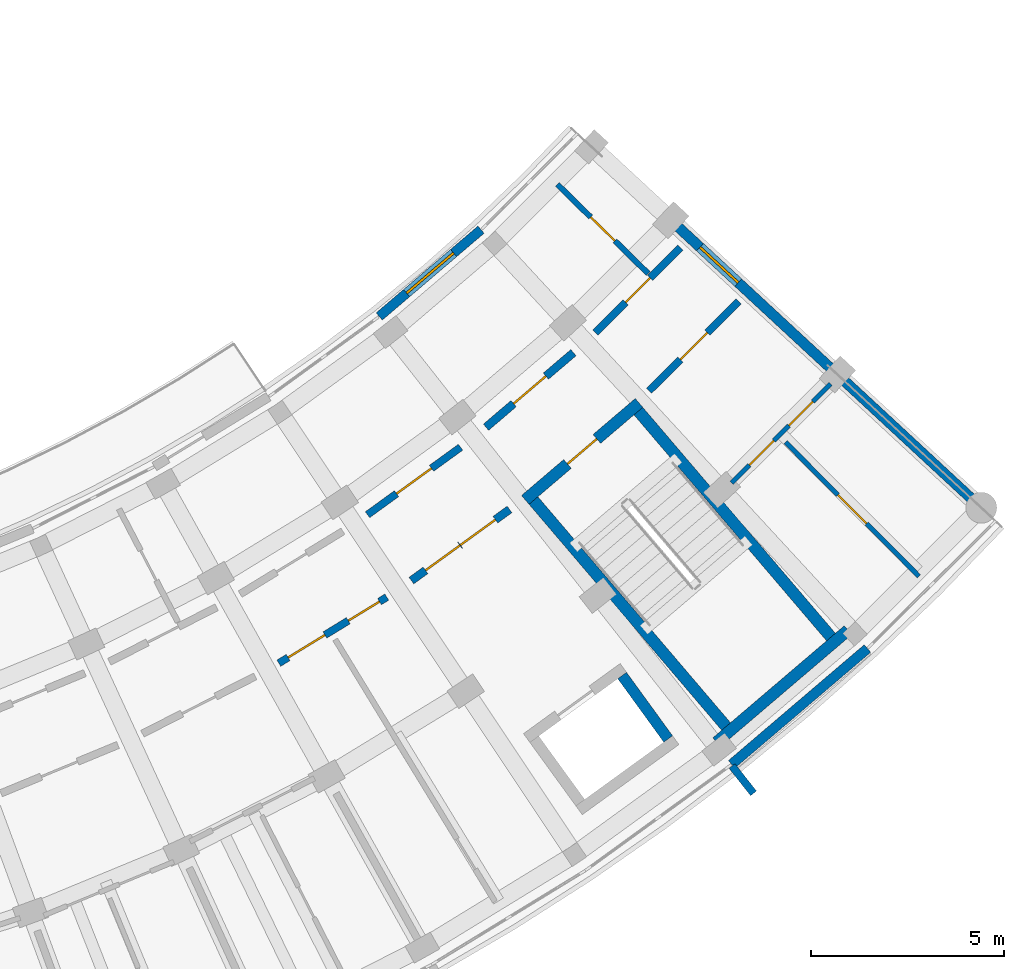
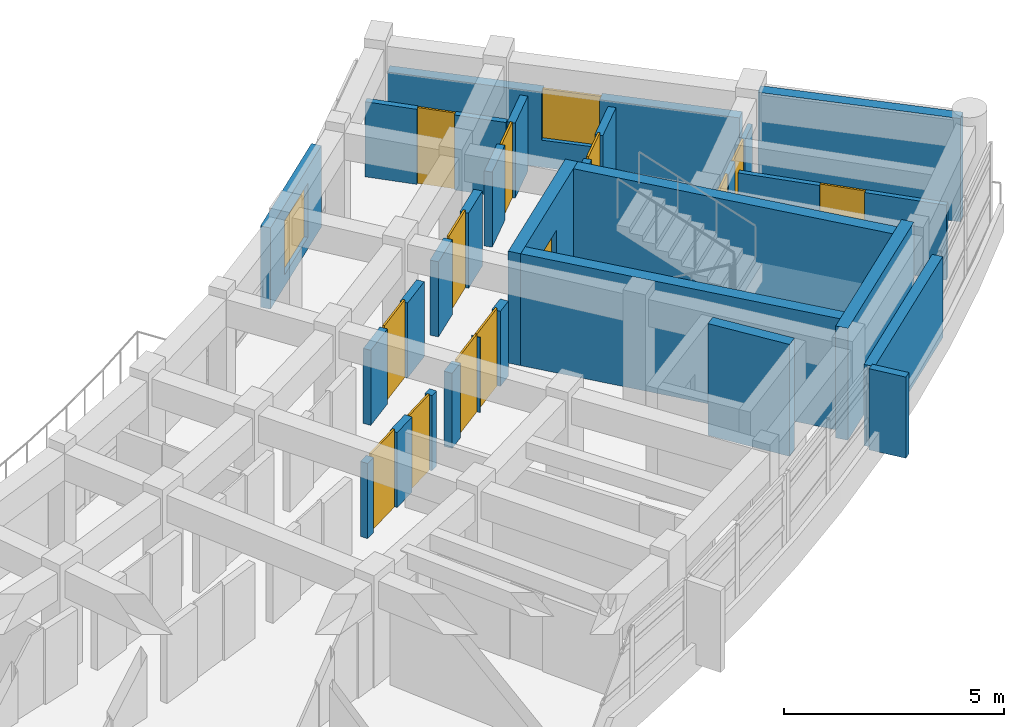
# One storey, part 39 of 56: 19 walls, 13 doors, 2 windows, 15 openings.
"""IFC4 building model written with IfcOpenShell, lengths in metres."""

from ifc_helpers import new_model, si_unit, direction, frame, frame_2d, origin, place, context, subcontext, project, spatial, rectangle, extrude, material, layer, layer_set, type_object, element, fill, save


model = new_model("IFC4")

# Units and contexts
model_context = context("Model", 3, precision=1e-05, world=origin(), true_north=direction((0.0, 1.0)))
body_context = subcontext(model_context, "Body", "Model", "MODEL_VIEW")
ifc_project = project(units=[si_unit("LENGTHUNIT", "METRE"), si_unit("AREAUNIT", "SQUARE_METRE"), si_unit("VOLUMEUNIT", "CUBIC_METRE"), si_unit("PLANEANGLEUNIT", "RADIAN"), si_unit("MASSUNIT", "GRAM", prefix="KILO")], contexts=[model_context])

# Site, building, storey
site_placement = place(None, origin())
site = spatial("IfcSite", under=ifc_project, at=site_placement, CompositionType="ELEMENT")
building_placement = place(site_placement, origin())
building = spatial("IfcBuilding", under=site, at=building_placement, Name="Zimvara Arc Housing Community", CompositionType="ELEMENT")
storey_placement = place(building_placement, frame((0.0, 0.0, 11.199951171875)))
storey = spatial("IfcBuildingStorey", under=building, at=storey_placement, Name="L03", CompositionType="ELEMENT", Elevation=11.199951171875)

# Wall, opening, window
ifc_material_1 = material(Name="Board-Marked Fair-Faced Concrete C35/45", Category="concrete")
ifc_layer_1 = layer(ifc_material_1, 0.264892578125)
ifc_layer_set_1 = layer_set([ifc_layer_1], Name="Board-Marked Fair-Faced Concrete C35/45")
wall_type_1 = type_object("IfcWallType", Name="EWL-CONC-265", PredefinedType="SOLIDWALL", material=ifc_layer_set_1)
wall_1_placement = place(storey_placement, frame((159.261962890625, 79.04052734375, 0.0), z_axis=(0.0, 0.0, 1.0), x_axis=(0.733738684326, -0.679431779595, 0.0)))
wall_1 = element("IfcWall", 1, at=wall_1_placement, inside=storey, type_object=wall_type_1, Name="ewall:blkD:L03:gN", PredefinedType="SOLIDWALL", context=body_context, shape_type="SweptSolid", body=[
    extrude(rectangle(XDim=8.199951171875, YDim=0.264892578125, at=frame_2d((4.10009765625, 0.0))), origin(), (0.0, 0.0, 1.0), 2.080078125),
])
opening_1_placement = place(wall_1_placement, frame((3.590087890625, 0.0, 0.75)))
opening_1 = element("IfcOpeningElement", 2, at=opening_1_placement, cuts=wall_1, Name="Opening W12", PredefinedType="OPENING", context=body_context, shape_type="SweptSolid", body=[
    extrude(rectangle(XDim=1.35009765625, YDim=1.35009765625, at=frame_2d((0.675048828125, 0.675048828125))), frame((0.0, 0.142333984375, 0.0), z_axis=(0.0, -1.0, 0.0), x_axis=(1.0, 0.0, 0.0)), (0.0, 0.0, 1.0), 0.284912109375),
])
ifc_material_2 = material(Name="Solar Control Low-E Double Glazing", Category="glass")
window_type_1 = type_object("IfcWindowType", Name="WIN-RES-1350x1350", PartitioningType="DOUBLE_PANEL_VERTICAL", PredefinedType="WINDOW", material=ifc_material_2)
window_1_placement = place(opening_1_placement, origin())
window_1 = element("IfcWindow", 3, at=window_1_placement, inside=storey, type_object=window_type_1, Name="win:blkD:L03:gN:w", OverallHeight=1.35009765625, OverallWidth=1.35009765625, PartitioningType="DOUBLE_PANEL_VERTICAL", PredefinedType="WINDOW", context=body_context, shape_type="SweptSolid", body=[
    extrude(rectangle(XDim=1.35009765625, YDim=1.35009765625, at=frame_2d((0.675048828125, 0.675048828125))), frame((0.0, 0.030029296875, 0.0), z_axis=(0.0, -1.0, 0.0), x_axis=(1.0, 0.0, 0.0)), (0.0, 0.0, 1.0), 0.06005859375),
])
fill(opening_1, window_1)

# Wall
ifc_material_3 = material(Name="Board-Marked Fair-Faced Concrete C35/45", Category="concrete")
ifc_layer_2 = layer(ifc_material_3, 0.195068359375)
ifc_layer_set_2 = layer_set([ifc_layer_2], Name="Board-Marked Fair-Faced Concrete C35/45")
wall_type_2 = type_object("IfcWallType", Name="EWL-PARA-195", PredefinedType="PARAPET", material=ifc_layer_set_2)
wall_2_placement = place(storey_placement, frame((162.725830078125, 63.164306640625, 0.0), z_axis=(0.0, 0.0, 1.0), x_axis=(0.618456270212, -0.785819217019, 0.0)))
element("IfcWall", 4, at=wall_2_placement, inside=storey, type_object=wall_type_2, Name="finwall:blkD:L03:out:b8", PredefinedType="PARAPET", context=body_context, shape_type="SweptSolid", body=[
    extrude(rectangle(XDim=0.900146484375, YDim=0.195068359375, at=frame_2d((0.4501953125, 0.0))), origin(), (0.0, 0.0, 1.0), 2.25),
])

# Wall, opening, window
ifc_material_4 = material(Name="Pigmented Fair-Faced Concrete C35/45", Category="concrete")
ifc_layer_3 = layer(ifc_material_4, 0.2451171875)
ifc_layer_set_3 = layer_set([ifc_layer_3], Name="Pigmented Fair-Faced Concrete C35/45")
wall_type_3 = type_object("IfcWallType", Name="EWL-PIGM-245", PredefinedType="SOLIDWALL", material=ifc_layer_set_3)
wall_3_placement = place(storey_placement, frame((153.588623046875, 74.80810546875, 0.0), z_axis=(0.0, 0.0, 1.0), x_axis=(0.760985425115, 0.648768974876, 0.0)))
wall_3 = element("IfcWall", 5, at=wall_3_placement, inside=storey, type_object=wall_type_3, Name="ewall:blkD:L03:in:b8", PredefinedType="SOLIDWALL", context=body_context, shape_type="SweptSolid", body=[
    extrude(rectangle(XDim=3.463623046875, YDim=0.2451171875, at=frame_2d((1.73193359375, 0.0))), origin(), (0.0, 0.0, 1.0), 2.25),
])
opening_2_placement = place(wall_3_placement, frame((0.931884765625, 0.0, 0.320068359375)))
opening_2 = element("IfcOpeningElement", 6, at=opening_2_placement, cuts=wall_3, Name="Opening W03", PredefinedType="OPENING", context=body_context, shape_type="SweptSolid", body=[
    extrude(rectangle(XDim=1.60009765625, YDim=1.5, at=frame_2d((0.800048828125, 0.75))), frame((0.0, 0.132568359375, 0.0), z_axis=(0.0, -1.0, 0.0), x_axis=(1.0, 0.0, 0.0)), (0.0, 0.0, 1.0), 0.26513671875),
])
ifc_material_5 = material(Name="Solar Control Low-E Double Glazing", Category="glass")
window_type_2 = type_object("IfcWindowType", Name="WIN-RES-1600x1500", PartitioningType="DOUBLE_PANEL_VERTICAL", PredefinedType="WINDOW", material=ifc_material_5)
window_2_placement = place(opening_2_placement, origin())
window_2 = element("IfcWindow", 7, at=window_2_placement, inside=storey, type_object=window_type_2, Name="win:blkD:L03:in:b8", OverallHeight=1.5, OverallWidth=1.60009765625, PartitioningType="DOUBLE_PANEL_VERTICAL", PredefinedType="WINDOW", context=body_context, shape_type="SweptSolid", body=[
    extrude(rectangle(XDim=1.60009765625, YDim=1.5, at=frame_2d((0.800048828125, 0.75))), frame((0.0, 0.030029296875, 0.0), z_axis=(0.0, -1.0, 0.0), x_axis=(1.0, 0.0, 0.0)), (0.0, 0.0, 1.0), 0.06005859375),
])
fill(opening_2, window_2)

# Wall
ifc_material_6 = material(Name="Board-Marked Fair-Faced Concrete C35/45", Category="concrete")
ifc_layer_4 = layer(ifc_material_6, 0.258056640625)
ifc_layer_set_4 = layer_set([ifc_layer_4], Name="Board-Marked Fair-Faced Concrete C35/45")
wall_type_4 = type_object("IfcWallType", Name="EWL-VAR-19", PredefinedType="SOLIDWALL", material=ifc_layer_set_4)
wall_4_placement = place(storey_placement, frame((162.71630859375, 63.208740234375, 0.0), z_axis=(0.0, 0.0, 1.0), x_axis=(0.760968923704, 0.64878833001, 0.0)))
element("IfcWall", 8, at=wall_4_placement, inside=storey, type_object=wall_type_4, Name="ewall:blkD:L03:out:b8", PredefinedType="SOLIDWALL", context=body_context, shape_type="SweptSolid", body=[
    extrude(rectangle(XDim=4.62255859375, YDim=0.258056640625, at=frame_2d((2.311279296875, 0.0))), origin(), (0.0, 0.0, 1.0), 2.25),
])

# Wall, openings, doors
ifc_material_7 = material(Name="Concrete C35/45", Category="concrete")
ifc_layer_5 = layer(ifc_material_7, 0.2099609375)
ifc_layer_set_5 = layer_set([ifc_layer_5], Name="Concrete C35/45")
wall_type_5 = type_object("IfcWallType", Name="IWL-CCF-210", PredefinedType="SOLIDWALL", material=ifc_layer_set_5)
wall_5_placement = place(storey_placement, frame((154.4228515625, 67.968017578125, 0.0), z_axis=(0.0, 0.0, 1.0), x_axis=(0.809516127005, 0.587097641043, 0.0)))
wall_5 = element("IfcWall", 9, at=wall_5_placement, inside=storey, type_object=wall_type_5, Name="iwall:blkD:L03:ll_div:b7", PredefinedType="SOLIDWALL", context=body_context, shape_type="SweptSolid", body=[
    extrude(rectangle(XDim=3.13720703125, YDim=0.2099609375, at=frame_2d((1.568603515625, 0.0))), origin(), (0.0, 0.0, 1.0), 2.080078125),
])
opening_3_placement = place(wall_5_placement, frame((0.449951171875, 0.0, 0.0)))
opening_3 = element("IfcOpeningElement", 10, at=opening_3_placement, cuts=wall_5, Name="Opening FD-CCF1", PredefinedType="OPENING", context=body_context, shape_type="SweptSolid", body=[
    extrude(rectangle(XDim=1.10009765625, YDim=2.14990234375, at=frame_2d((0.550048828125, 1.074951171875))), frame((0.0, 0.114990234375, 0.0), z_axis=(0.0, -1.0, 0.0), x_axis=(1.0, 0.0, 0.0)), (0.0, 0.0, 1.0), 0.22998046875),
])
opening_4_placement = place(wall_5_placement, frame((1.56689453125, 0.0, 0.0)))
opening_4 = element("IfcOpeningElement", 11, at=opening_4_placement, cuts=wall_5, Name="Opening D07", PredefinedType="OPENING", context=body_context, shape_type="SweptSolid", body=[
    extrude(rectangle(XDim=1.1201171875, YDim=2.14990234375, at=frame_2d((0.56005859375, 1.074951171875))), frame((0.0, 0.114990234375, 0.0), z_axis=(0.0, -1.0, 0.0), x_axis=(1.0, 0.0, 0.0)), (0.0, 0.0, 1.0), 0.22998046875),
])
ifc_material_8 = material(Name="Mozambican Hardwood", Category="wood")
door_type_1 = type_object("IfcDoorType", Name="IDR-AMN-1120x2150", OperationType="NOTDEFINED", PredefinedType="DOOR", material=ifc_material_8)
door_1_placement = place(opening_4_placement, origin())
door_1 = element("IfcDoor", 12, at=door_1_placement, inside=storey, type_object=door_type_1, Name="idoor:blkD:L03:rs_in:b7", OperationType="SINGLE_SWING_LEFT", OverallHeight=2.14990234375, OverallWidth=1.1201171875, PredefinedType="DOOR", context=body_context, shape_type="SweptSolid", body=[
    extrude(rectangle(XDim=1.1201171875, YDim=2.14990234375, at=frame_2d((0.56005859375, 1.074951171875))), frame((0.0, 0.02490234375, 0.0), z_axis=(0.0, -1.0, 0.0), x_axis=(1.0, 0.0, 0.0)), (0.0, 0.0, 1.0), 0.050048828125),
])
fill(opening_4, door_1)
ifc_material_9 = material(Name="Anodised Aluminium AW-6063", Category="aluminium")
door_type_2 = type_object("IfcDoorType", Name="IDR-CCF-1100x2150", OperationType="NOTDEFINED", PredefinedType="DOOR", material=ifc_material_9)
door_2_placement = place(opening_3_placement, origin())
door_2 = element("IfcDoor", 13, at=door_2_placement, inside=storey, type_object=door_type_2, Name="idoor:blkD:L03:ll_in:b7", OperationType="SINGLE_SWING_RIGHT", OverallHeight=2.14990234375, OverallWidth=1.10009765625, PredefinedType="DOOR", context=body_context, shape_type="SweptSolid", body=[
    extrude(rectangle(XDim=1.10009765625, YDim=2.14990234375, at=frame_2d((0.550048828125, 1.074951171875))), frame((0.0, 0.02490234375, 0.0), z_axis=(0.0, -1.0, 0.0), x_axis=(1.0, 0.0, 0.0)), (0.0, 0.0, 1.0), 0.050048828125),
])
fill(opening_3, door_2)

# Wall, opening, door
wall_6_placement = place(storey_placement, frame((156.354248046875, 71.93994140625, 0.0), z_axis=(0.0, 0.0, 1.0), x_axis=(0.760991187621, 0.648762215579, 0.0)))
wall_6 = element("IfcWall", 14, at=wall_6_placement, inside=storey, type_object=wall_type_5, Name="iwall:blkD:L03:ccf_div:b8", PredefinedType="SOLIDWALL", context=body_context, shape_type="SweptSolid", body=[
    extrude(rectangle(XDim=2.975830078125, YDim=0.2099609375, at=frame_2d((1.48779296875, 0.0))), origin(), (0.0, 0.0, 1.0), 2.080078125),
])
opening_5_placement = place(wall_6_placement, frame((0.93798828125, 0.0, 0.0)))
opening_5 = element("IfcOpeningElement", 15, at=opening_5_placement, cuts=wall_6, Name="Opening FD-CCF1", PredefinedType="OPENING", context=body_context, shape_type="SweptSolid", body=[
    extrude(rectangle(XDim=1.10009765625, YDim=2.14990234375, at=frame_2d((0.550048828125, 1.074951171875))), frame((0.0, 0.114990234375, 0.0), z_axis=(0.0, -1.0, 0.0), x_axis=(1.0, 0.0, 0.0)), (0.0, 0.0, 1.0), 0.22998046875),
])
door_3_placement = place(opening_5_placement, origin())
door_3 = element("IfcDoor", 16, at=door_3_placement, inside=storey, type_object=door_type_2, Name="idoor:blkD:L03:ccf_in:b8", OperationType="SINGLE_SWING_LEFT", OverallHeight=2.14990234375, OverallWidth=1.10009765625, PredefinedType="DOOR", context=body_context, shape_type="SweptSolid", body=[
    extrude(rectangle(XDim=1.10009765625, YDim=2.14990234375, at=frame_2d((0.550048828125, 1.074951171875))), frame((0.0, 0.02490234375, 0.0), z_axis=(0.0, -1.0, 0.0), x_axis=(1.0, 0.0, 0.0)), (0.0, 0.0, 1.0), 0.050048828125),
])
fill(opening_5, door_3)

# Wall, openings, doors
ifc_material_10 = material(Name="Concrete C35/45", Category="concrete")
ifc_layer_6 = layer(ifc_material_10, 0.18994140625)
ifc_layer_set_6 = layer_set([ifc_layer_6], Name="Concrete C35/45")
wall_type_6 = type_object("IfcWallType", Name="IWL-CORR-190", PredefinedType="SOLIDWALL", material=ifc_layer_set_6)
wall_7_placement = place(storey_placement, frame((150.98876953125, 65.8291015625, 0.0), z_axis=(0.0, 0.0, 1.0), x_axis=(0.853090237845, 0.521763400492, 0.0)))
wall_7 = element("IfcWall", 17, at=wall_7_placement, inside=storey, type_object=wall_type_6, Name="iwall:blkD:L03:corr_out:b6", PredefinedType="SOLIDWALL", context=body_context, shape_type="SweptSolid", body=[
    extrude(rectangle(XDim=3.27685546875, YDim=0.18994140625, at=frame_2d((1.638427734375, 0.0))), origin(), (0.0, 0.0, 1.0), 2.080078125),
])
opening_6_placement = place(wall_7_placement, frame((0.280029296875, 0.0, 0.0)))
opening_6 = element("IfcOpeningElement", 18, at=opening_6_placement, cuts=wall_7, Name="Opening D07", PredefinedType="OPENING", context=body_context, shape_type="SweptSolid", body=[
    extrude(rectangle(XDim=1.1201171875, YDim=2.14990234375, at=frame_2d((0.56005859375, 1.074951171875))), frame((0.0, 0.10498046875, 0.0), z_axis=(0.0, -1.0, 0.0), x_axis=(1.0, 0.0, 0.0)), (0.0, 0.0, 1.0), 0.2099609375),
])
opening_7_placement = place(wall_7_placement, frame((2.10693359375, 0.0, 0.0)))
opening_7 = element("IfcOpeningElement", 19, at=opening_7_placement, cuts=wall_7, Name="Opening D06", PredefinedType="OPENING", context=body_context, shape_type="SweptSolid", body=[
    extrude(rectangle(XDim=0.949951171875, YDim=2.10009765625, at=frame_2d((0.47509765625, 1.050048828125))), frame((0.0, 0.10498046875, 0.0), z_axis=(0.0, -1.0, 0.0), x_axis=(1.0, 0.0, 0.0)), (0.0, 0.0, 1.0), 0.2099609375),
])
door_4_placement = place(opening_6_placement, origin())
door_4 = element("IfcDoor", 20, at=door_4_placement, inside=storey, type_object=door_type_1, Name="idoor:blkD:L03:amen:b6", OperationType="SINGLE_SWING_RIGHT", OverallHeight=2.14990234375, OverallWidth=1.1201171875, PredefinedType="DOOR", context=body_context, shape_type="SweptSolid", body=[
    extrude(rectangle(XDim=1.1201171875, YDim=2.14990234375, at=frame_2d((0.56005859375, 1.074951171875))), frame((0.0, 0.02490234375, 0.0), z_axis=(0.0, -1.0, 0.0), x_axis=(1.0, 0.0, 0.0)), (0.0, 0.0, 1.0), 0.050048828125),
])
fill(opening_6, door_4)
ifc_material_11 = material(Name="Mozambican Hardwood", Category="wood")
door_type_3 = type_object("IfcDoorType", Name="IDR-AWC-0950x2100", OperationType="NOTDEFINED", PredefinedType="DOOR", material=ifc_material_11)
door_5_placement = place(opening_7_placement, origin())
door_5 = element("IfcDoor", 21, at=door_5_placement, inside=storey, type_object=door_type_3, Name="idoor:blkD:L03:cawc:b6", OperationType="SINGLE_SWING_LEFT", OverallHeight=2.10009765625, OverallWidth=0.949951171875, PredefinedType="DOOR", context=body_context, shape_type="SweptSolid", body=[
    extrude(rectangle(XDim=0.949951171875, YDim=2.10009765625, at=frame_2d((0.47509765625, 1.050048828125))), frame((0.0, 0.02490234375, 0.0), z_axis=(0.0, -1.0, 0.0), x_axis=(1.0, 0.0, 0.0)), (0.0, 0.0, 1.0), 0.050048828125),
])
fill(opening_7, door_5)

# Wall, opening, door
wall_8_placement = place(storey_placement, frame((153.285400390625, 69.673583984375, 0.0), z_axis=(0.0, 0.0, 1.0), x_axis=(0.809505174959, 0.587112741911, 0.0)))
wall_8 = element("IfcWall", 22, at=wall_8_placement, inside=storey, type_object=wall_type_6, Name="iwall:blkD:L03:ra_div:b7", PredefinedType="SOLIDWALL", context=body_context, shape_type="SweptSolid", body=[
    extrude(rectangle(XDim=2.97607421875, YDim=0.18994140625, at=frame_2d((1.488037109375, 0.0))), origin(), (0.0, 0.0, 1.0), 2.080078125),
])
opening_8_placement = place(wall_8_placement, frame((0.927978515625, 0.0, 0.0)))
opening_8 = element("IfcOpeningElement", 23, at=opening_8_placement, cuts=wall_8, Name="Opening D07", PredefinedType="OPENING", context=body_context, shape_type="SweptSolid", body=[
    extrude(rectangle(XDim=1.1201171875, YDim=2.14990234375, at=frame_2d((0.56005859375, 1.074951171875))), frame((0.0, 0.10498046875, 0.0), z_axis=(0.0, -1.0, 0.0), x_axis=(1.0, 0.0, 0.0)), (0.0, 0.0, 1.0), 0.2099609375),
])
door_6_placement = place(opening_8_placement, origin())
door_6 = element("IfcDoor", 24, at=door_6_placement, inside=storey, type_object=door_type_1, Name="idoor:blkD:L03:ra_d:b7", OperationType="SINGLE_SWING_RIGHT", OverallHeight=2.14990234375, OverallWidth=1.1201171875, PredefinedType="DOOR", context=body_context, shape_type="SweptSolid", body=[
    extrude(rectangle(XDim=1.1201171875, YDim=2.14990234375, at=frame_2d((0.56005859375, 1.074951171875))), frame((0.0, 0.02490234375, 0.0), z_axis=(0.0, -1.0, 0.0), x_axis=(1.0, 0.0, 0.0)), (0.0, 0.0, 1.0), 0.050048828125),
])
fill(opening_8, door_6)

wall_9_placement = place(storey_placement, frame((160.576416015625, 72.8837890625, 0.0), z_axis=(0.0, 0.0, 1.0), x_axis=(0.70773973846, 0.706473256822, 0.0)))
wall_9 = element("IfcWall", 25, at=wall_9_placement, inside=storey, type_object=wall_type_6, Name="iwall:blkD:L03:corr_out:b9", PredefinedType="SOLIDWALL", context=body_context, shape_type="SweptSolid", body=[
    extrude(rectangle(XDim=3.277099609375, YDim=0.18994140625, at=frame_2d((1.638671875, 0.0))), origin(), (0.0, 0.0, 1.0), 2.080078125),
])
opening_9_placement = place(wall_9_placement, frame((1.1484375, 0.0, 0.0)))
opening_9 = element("IfcOpeningElement", 26, at=opening_9_placement, cuts=wall_9, Name="Opening FD-FL1", PredefinedType="OPENING", context=body_context, shape_type="SweptSolid", body=[
    extrude(rectangle(XDim=0.97998046875, YDim=2.14990234375, at=frame_2d((0.489990234375, 1.074951171875))), frame((0.0, 0.10498046875, 0.0), z_axis=(0.0, -1.0, 0.0), x_axis=(1.0, 0.0, 0.0)), (0.0, 0.0, 1.0), 0.2099609375),
])
ifc_material_12 = material(Name="Mozambican Hardwood", Category="wood")
door_type_4 = type_object("IfcDoorType", Name="IDR-FLAT-0980x2150", OperationType="NOTDEFINED", PredefinedType="DOOR", material=ifc_material_12)
door_7_placement = place(opening_9_placement, origin())
door_7 = element("IfcDoor", 27, at=door_7_placement, inside=storey, type_object=door_type_4, Name="idoor:blkD:L03:flat:b9", OperationType="SINGLE_SWING_RIGHT", OverallHeight=2.14990234375, OverallWidth=0.97998046875, PredefinedType="DOOR", context=body_context, shape_type="SweptSolid", body=[
    extrude(rectangle(XDim=0.97998046875, YDim=2.14990234375, at=frame_2d((0.489990234375, 1.074951171875))), frame((0.0, 0.02490234375, 0.0), z_axis=(0.0, -1.0, 0.0), x_axis=(1.0, 0.0, 0.0)), (0.0, 0.0, 1.0), 0.050048828125),
])
fill(opening_9, door_7)

wall_10_placement = place(storey_placement, frame((159.186279296875, 74.390380859375, 0.0), z_axis=(0.0, 0.0, 1.0), x_axis=(0.70773330139, 0.706479705373, 0.0)))
wall_10 = element("IfcWall", 28, at=wall_10_placement, inside=storey, type_object=wall_type_6, Name="iwall:blkD:L03:corr_in:b9", PredefinedType="SOLIDWALL", context=body_context, shape_type="SweptSolid", body=[
    extrude(rectangle(XDim=3.115966796875, YDim=0.18994140625, at=frame_2d((1.55810546875, 0.0))), origin(), (0.0, 0.0, 1.0), 2.080078125),
])
opening_10_placement = place(wall_10_placement, frame((1.10791015625, 0.0, 0.0)))
opening_10 = element("IfcOpeningElement", 29, at=opening_10_placement, cuts=wall_10, Name="Opening D01", PredefinedType="OPENING", context=body_context, shape_type="SweptSolid", body=[
    extrude(rectangle(XDim=0.89990234375, YDim=2.10009765625, at=frame_2d((0.449951171875, 1.050048828125))), frame((0.0, 0.10498046875, 0.0), z_axis=(0.0, -1.0, 0.0), x_axis=(1.0, 0.0, 0.0)), (0.0, 0.0, 1.0), 0.2099609375),
])
ifc_material_13 = material(Name="Mozambican Hardwood", Category="wood")
door_type_5 = type_object("IfcDoorType", Name="IDR-RM-0900x2100", OperationType="NOTDEFINED", PredefinedType="DOOR", material=ifc_material_13)
door_8_placement = place(opening_10_placement, origin())
door_8 = element("IfcDoor", 30, at=door_8_placement, inside=storey, type_object=door_type_5, Name="idoor:blkD:L03:in_rm:b9", OperationType="SINGLE_SWING_LEFT", OverallHeight=2.10009765625, OverallWidth=0.89990234375, PredefinedType="DOOR", context=body_context, shape_type="SweptSolid", body=[
    extrude(rectangle(XDim=0.89990234375, YDim=2.10009765625, at=frame_2d((0.449951171875, 1.050048828125))), frame((0.0, 0.02490234375, 0.0), z_axis=(0.0, -1.0, 0.0), x_axis=(1.0, 0.0, 0.0)), (0.0, 0.0, 1.0), 0.050048828125),
])
fill(opening_10, door_8)

# Wall, openings, doors
ifc_material_14 = material(Name="Painted Acoustic Plasterboard")
ifc_layer_7 = layer(ifc_material_14, 0.114990234375)
ifc_layer_set_7 = layer_set([ifc_layer_7], Name="Painted Acoustic Plasterboard")
wall_type_7 = type_object("IfcWallType", Name="IWL-PART-115", PredefinedType="PARTITIONING", material=ifc_layer_set_7)
wall_11_placement = place(storey_placement, frame((162.711181640625, 70.496826171875, 0.0), z_axis=(0.0, 0.0, 1.0), x_axis=(0.70774573777, 0.706467246706, 0.0)))
wall_11 = element("IfcWall", 31, at=wall_11_placement, inside=storey, type_object=wall_type_7, Name="iwall:blkD:L03:srv:b9", PredefinedType="PARTITIONING", context=body_context, shape_type="SweptSolid", body=[
    extrude(rectangle(XDim=3.628173828125, YDim=0.114990234375, at=frame_2d((1.81396484375, 0.0))), origin(), (0.0, 0.0, 1.0), 2.080078125),
])
opening_11_placement = place(wall_11_placement, frame((0.64990234375, 0.0, 0.0)))
opening_11 = element("IfcOpeningElement", 32, at=opening_11_placement, cuts=wall_11, Name="Opening D01", PredefinedType="OPENING", context=body_context, shape_type="SweptSolid", body=[
    extrude(rectangle(XDim=0.89990234375, YDim=2.10009765625, at=frame_2d((0.449951171875, 1.050048828125))), frame((0.0, 0.0673828125, 0.0), z_axis=(0.0, -1.0, 0.0), x_axis=(1.0, 0.0, 0.0)), (0.0, 0.0, 1.0), 0.135009765625),
])
opening_12_placement = place(wall_11_placement, frame((2.098388671875, 0.0, 0.0)))
opening_12 = element("IfcOpeningElement", 33, at=opening_12_placement, cuts=wall_11, Name="Opening D05", PredefinedType="OPENING", context=body_context, shape_type="SweptSolid", body=[
    extrude(rectangle(XDim=0.8798828125, YDim=2.10009765625, at=frame_2d((0.43994140625, 1.050048828125))), frame((0.0, 0.0673828125, 0.0), z_axis=(0.0, -1.0, 0.0), x_axis=(1.0, 0.0, 0.0)), (0.0, 0.0, 1.0), 0.135009765625),
])
door_9_placement = place(opening_11_placement, origin())
door_9 = element("IfcDoor", 34, at=door_9_placement, inside=storey, type_object=door_type_5, Name="idoor:blkD:L03:kit_liv:b9", OperationType="SINGLE_SWING_LEFT", OverallHeight=2.10009765625, OverallWidth=0.89990234375, PredefinedType="DOOR", context=body_context, shape_type="SweptSolid", body=[
    extrude(rectangle(XDim=0.89990234375, YDim=2.10009765625, at=frame_2d((0.449951171875, 1.050048828125))), frame((0.0, 0.02490234375, 0.0), z_axis=(0.0, -1.0, 0.0), x_axis=(1.0, 0.0, 0.0)), (0.0, 0.0, 1.0), 0.050048828125),
])
fill(opening_11, door_9)
ifc_material_15 = material(Name="Mozambican Hardwood", Category="wood")
door_type_6 = type_object("IfcDoorType", Name="IDR-WC-0880x2100", OperationType="NOTDEFINED", PredefinedType="DOOR", material=ifc_material_15)
door_10_placement = place(opening_12_placement, origin())
door_10 = element("IfcDoor", 35, at=door_10_placement, inside=storey, type_object=door_type_6, Name="idoor:blkD:L03:bath_d:b9", OperationType="SINGLE_SWING_RIGHT", OverallHeight=2.10009765625, OverallWidth=0.8798828125, PredefinedType="DOOR", context=body_context, shape_type="SweptSolid", body=[
    extrude(rectangle(XDim=0.8798828125, YDim=2.10009765625, at=frame_2d((0.43994140625, 1.050048828125))), frame((0.0, 0.02490234375, 0.0), z_axis=(0.0, -1.0, 0.0), x_axis=(1.0, 0.0, 0.0)), (0.0, 0.0, 1.0), 0.050048828125),
])
fill(opening_12, door_10)

# Wall, opening, door
ifc_material_16 = material(Name="Painted Acoustic Plasterboard")
ifc_layer_8 = layer(ifc_material_16, 0.1201171875)
ifc_layer_set_8 = layer_set([ifc_layer_8], Name="Painted Acoustic Plasterboard")
wall_type_8 = type_object("IfcWallType", Name="IWL-PART-120", PredefinedType="PARTITIONING", material=ifc_layer_set_8)
wall_12_placement = place(storey_placement, frame((164.1103515625, 71.552490234375, 0.0), z_axis=(0.0, 0.0, 1.0), x_axis=(0.705460671411, -0.708749067789, 0.0)))
wall_12 = element("IfcWall", 36, at=wall_12_placement, inside=storey, type_object=wall_type_8, Name="iwall:blkD:L03:bed_div:b9", PredefinedType="PARTITIONING", context=body_context, shape_type="SweptSolid", body=[
    extrude(rectangle(XDim=4.900146484375, YDim=0.1201171875, at=frame_2d((2.4501953125, 0.0))), origin(), (0.0, 0.0, 1.0), 2.080078125),
])
opening_13_placement = place(wall_12_placement, frame((1.919921875, 0.0, 0.0)))
opening_13 = element("IfcOpeningElement", 37, at=opening_13_placement, cuts=wall_12, Name="Opening D16", PredefinedType="OPENING", context=body_context, shape_type="SweptSolid", body=[
    extrude(rectangle(XDim=1.06005859375, YDim=2.10009765625, at=frame_2d((0.530029296875, 1.050048828125))), frame((0.0, 0.070068359375, 0.0), z_axis=(0.0, -1.0, 0.0), x_axis=(1.0, 0.0, 0.0)), (0.0, 0.0, 1.0), 0.14013671875),
])
ifc_material_17 = material(Name="Mozambican Hardwood", Category="wood")
door_type_7 = type_object("IfcDoorType", Name="IDR-MOD-1060x2220", OperationType="NOTDEFINED", PredefinedType="DOOR", material=ifc_material_17)
door_11_placement = place(opening_13_placement, origin())
door_11 = element("IfcDoor", 38, at=door_11_placement, inside=storey, type_object=door_type_7, Name="idoor:blkD:L03:bed_d:b9", OperationType="SINGLE_SWING_LEFT", OverallHeight=2.10009765625, OverallWidth=1.06005859375, PredefinedType="DOOR", context=body_context, shape_type="SweptSolid", body=[
    extrude(rectangle(XDim=1.06005859375, YDim=2.10009765625, at=frame_2d((0.530029296875, 1.050048828125))), frame((0.0, 0.02490234375, 0.0), z_axis=(0.0, -1.0, 0.0), x_axis=(1.0, 0.0, 0.0)), (0.0, 0.0, 1.0), 0.050048828125),
])
fill(opening_13, door_11)

ifc_material_18 = material(Name="Painted Acoustic Plasterboard")
ifc_layer_9 = layer(ifc_material_18, 0.14501953125)
ifc_layer_set_9 = layer_set([ifc_layer_9], Name="Painted Acoustic Plasterboard")
wall_type_9 = type_object("IfcWallType", Name="IWL-WET-145", PredefinedType="PARTITIONING", material=ifc_layer_set_9)
wall_13_placement = place(storey_placement, frame((158.19970703125, 78.23046875, 0.0), z_axis=(0.0, 0.0, 1.0), x_axis=(0.713587506757, -0.700566106945, 0.0)))
wall_13 = element("IfcWall", 39, at=wall_13_placement, inside=storey, type_object=wall_type_9, Name="iwall:blkD:L03:ens:b9", PredefinedType="PARTITIONING", context=body_context, shape_type="SweptSolid", body=[
    extrude(rectangle(XDim=3.2998046875, YDim=0.14501953125, at=frame_2d((1.64990234375, 0.0))), origin(), (0.0, 0.0, 1.0), 2.080078125),
])
opening_14_placement = place(wall_13_placement, frame((1.2099609375, 0.0, 0.0)))
opening_14 = element("IfcOpeningElement", 40, at=opening_14_placement, cuts=wall_13, Name="Opening D05", PredefinedType="OPENING", context=body_context, shape_type="SweptSolid", body=[
    extrude(rectangle(XDim=0.8798828125, YDim=2.10009765625, at=frame_2d((0.43994140625, 1.050048828125))), frame((0.0, 0.08251953125, 0.0), z_axis=(0.0, -1.0, 0.0), x_axis=(1.0, 0.0, 0.0)), (0.0, 0.0, 1.0), 0.1650390625),
])
door_12_placement = place(opening_14_placement, origin())
door_12 = element("IfcDoor", 41, at=door_12_placement, inside=storey, type_object=door_type_6, Name="idoor:blkD:L03:ens_d:b9", OperationType="SINGLE_SWING_RIGHT", OverallHeight=2.10009765625, OverallWidth=0.8798828125, PredefinedType="DOOR", context=body_context, shape_type="SweptSolid", body=[
    extrude(rectangle(XDim=0.8798828125, YDim=2.10009765625, at=frame_2d((0.43994140625, 1.050048828125))), frame((0.0, 0.02490234375, 0.0), z_axis=(0.0, -1.0, 0.0), x_axis=(1.0, 0.0, 0.0)), (0.0, 0.0, 1.0), 0.050048828125),
])
fill(opening_14, door_12)

# Wall
ifc_material_19 = material(Name="Concrete C40/50", Category="concrete")
ifc_layer_10 = layer(ifc_material_19, 0.280029296875)
ifc_layer_set_10 = layer_set([ifc_layer_10], Name="Concrete C40/50")
wall_type_10 = type_object("IfcWallType", Name="WL-CORE-280", PredefinedType="SHEAR", material=ifc_layer_set_10)
wall_14_placement = place(storey_placement, frame((159.87939453125, 65.509033203125, 0.0), z_axis=(0.0, 0.0, 1.0), x_axis=(0.58704837408, -0.809551855344, 0.0)))
element("IfcWall", 42, at=wall_14_placement, inside=storey, type_object=wall_type_10, Name="lwall:LP-D2:L03:right", PredefinedType="SHEAR", context=body_context, shape_type="SweptSolid", body=[
    extrude(rectangle(XDim=2.02978515625, YDim=0.280029296875, at=frame_2d((1.014892578125, 0.0))), origin(), (0.0, 0.0, 1.0), 3.10009765625),
])

# Wall, opening, door
ifc_material_20 = material(Name="Concrete C40/50", Category="concrete")
ifc_layer_11 = layer(ifc_material_20, 0.300048828125)
ifc_layer_set_11 = layer_set([ifc_layer_11], Name="Concrete C40/50")
wall_type_11 = type_object("IfcWallType", Name="WL-CORE-300", PredefinedType="SHEAR", material=ifc_layer_set_11)
wall_15_placement = place(storey_placement, frame((157.37158203125, 70.0576171875, 0.0), z_axis=(0.0, 0.0, 1.0), x_axis=(0.760990583254, 0.648762924495, 0.0)))
wall_15 = element("IfcWall", 43, at=wall_15_placement, inside=storey, type_object=wall_type_11, Name="cwall:ST-D2:L03:near", PredefinedType="SHEAR", context=body_context, shape_type="SweptSolid", body=[
    extrude(rectangle(XDim=3.8701171875, YDim=0.300048828125, at=frame_2d((1.93505859375, 0.0))), origin(), (0.0, 0.0, 1.0), 3.10009765625),
])
opening_15_placement = place(wall_15_placement, frame((1.43505859375, 0.0, 0.0)))
opening_15 = element("IfcOpeningElement", 44, at=opening_15_placement, cuts=wall_15, Name="Opening FD-ST1", PredefinedType="OPENING", context=body_context, shape_type="SweptSolid", body=[
    extrude(rectangle(XDim=1.0, YDim=2.14990234375, at=frame_2d((0.5, 1.074951171875))), frame((0.0, 0.159912109375, 0.0), z_axis=(0.0, -1.0, 0.0), x_axis=(1.0, 0.0, 0.0)), (0.0, 0.0, 1.0), 0.320068359375),
])
ifc_material_21 = material(Name="Anodised Aluminium AW-6063", Category="aluminium")
door_type_8 = type_object("IfcDoorType", Name="IDR-ST-1000x2150", OperationType="NOTDEFINED", PredefinedType="DOOR", material=ifc_material_21)
door_13_placement = place(opening_15_placement, origin())
door_13 = element("IfcDoor", 45, at=door_13_placement, inside=storey, type_object=door_type_8, Name="idoor:ST-D2:L03:entry", OperationType="SINGLE_SWING_LEFT", OverallHeight=2.14990234375, OverallWidth=1.0, PredefinedType="DOOR", context=body_context, shape_type="SweptSolid", body=[
    extrude(rectangle(XDim=1.0, YDim=2.14990234375, at=frame_2d((0.5, 1.074951171875))), frame((0.0, 0.02490234375, 0.0), z_axis=(0.0, -1.0, 0.0), x_axis=(1.0, 0.0, 0.0)), (0.0, 0.0, 1.0), 0.050048828125),
])
fill(opening_15, door_13)

# Walls
wall_16_placement = place(storey_placement, frame((162.3271484375, 63.78271484375, 0.0), z_axis=(0.0, 0.0, 1.0), x_axis=(0.760969560012, 0.648787583678, 0.0)))
element("IfcWall", 46, at=wall_16_placement, inside=storey, type_object=wall_type_11, Name="cwall:ST-D2:L03:far", PredefinedType="SHEAR", context=body_context, shape_type="SweptSolid", body=[
    extrude(rectangle(XDim=4.47021484375, YDim=0.300048828125, at=frame_2d((2.235107421875, 0.0))), origin(), (0.0, 0.0, 1.0), 3.10009765625),
])
wall_17_placement = place(storey_placement, frame((157.583251953125, 70.040771484375, 0.0), z_axis=(0.0, 0.0, 1.0), x_axis=(0.648762810187, -0.760990680704, 0.0)))
element("IfcWall", 47, at=wall_17_placement, inside=storey, type_object=wall_type_11, Name="cwall:ST-D2:L03:left", PredefinedType="SHEAR", context=body_context, shape_type="SweptSolid", body=[
    extrude(rectangle(XDim=7.68994140625, YDim=0.300048828125, at=frame_2d((3.844970703125, 0.0))), origin(), (0.0, 0.0, 1.0), 3.10009765625),
])
wall_18_placement = place(storey_placement, frame((160.2998046875, 72.35693359375, 0.0), z_axis=(0.0, 0.0, 1.0), x_axis=(0.648781194888, -0.760975006922, 0.0)))
element("IfcWall", 48, at=wall_18_placement, inside=storey, type_object=wall_type_11, Name="cwall:ST-D2:L03:right", PredefinedType="SHEAR", context=body_context, shape_type="SweptSolid", body=[
    extrude(rectangle(XDim=7.690185546875, YDim=0.300048828125, at=frame_2d((3.84521484375, 0.0))), origin(), (0.0, 0.0, 1.0), 3.10009765625),
])
ifc_material_22 = material(Name="Concrete C40/50", Category="concrete")
ifc_layer_12 = layer(ifc_material_22, 0.27001953125)
ifc_layer_set_12 = layer_set([ifc_layer_12], Name="Concrete C40/50")
wall_type_12 = type_object("IfcWallType", Name="WL-SHEAR-270", PredefinedType="SHEAR", material=ifc_layer_set_12)
wall_19_placement = place(storey_placement, frame((165.586669921875, 73.183837890625, 0.0), z_axis=(0.0, 0.0, 1.0), x_axis=(0.733739663667, -0.679430721974, 0.0)))
element("IfcWall", 49, at=wall_19_placement, inside=storey, type_object=wall_type_12, Name="swall:blkD:L03:east", PredefinedType="SHEAR", context=body_context, shape_type="SweptSolid", body=[
    extrude(rectangle(XDim=4.72021484375, YDim=0.27001953125, at=frame_2d((2.360107421875, 0.0))), origin(), (0.0, 0.0, 1.0), 2.860107421875),
])

save(model, "model.ifc")
